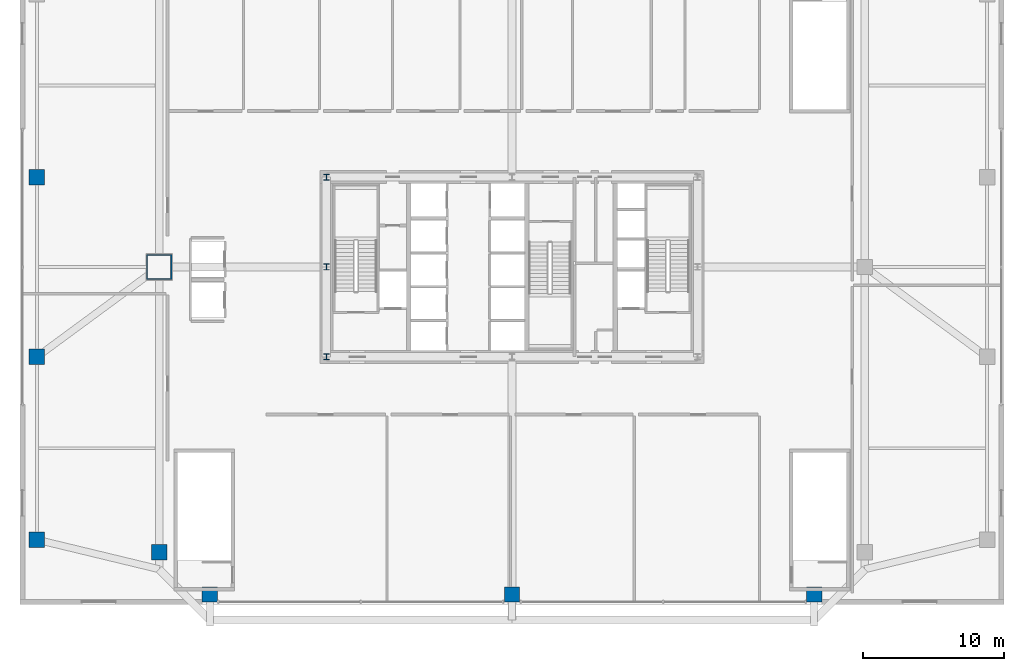
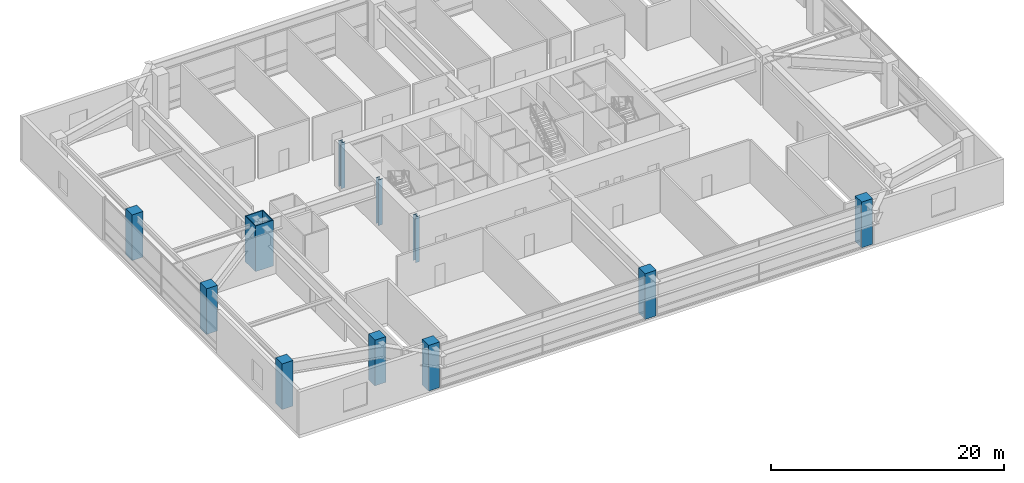
# One storey, part 1 of 34: 11 columns.
"""IFC4 building model written with IfcOpenShell, lengths in metres."""

from ifc_helpers import new_model, si_unit, direction, frame, origin, origin_2d, place, context, subcontext, project, spatial, rectangle, hollow_rectangle, i_section, extrude, source, transform, mapped, material, material_profile, profile_set, type_object, element, save


model = new_model("IFC4")

# Units and contexts
model_context = context("Model", 3, precision=1e-05, world=origin(), true_north=direction((0.0, 1.0)))
body_context = subcontext(model_context, "Body", "Model", "MODEL_VIEW")
ifc_project = project(units=[si_unit("LENGTHUNIT", "METRE"), si_unit("AREAUNIT", "SQUARE_METRE"), si_unit("VOLUMEUNIT", "CUBIC_METRE"), si_unit("PLANEANGLEUNIT", "RADIAN"), si_unit("MASSUNIT", "GRAM", prefix="KILO"), si_unit("THERMODYNAMICTEMPERATUREUNIT", "KELVIN"), si_unit("POWERUNIT", "WATT")], contexts=[model_context])

# Site, building, storey
site_placement = place(None, origin())
site = spatial("IfcSite", under=ifc_project, at=site_placement, CompositionType="ELEMENT")
building_placement = place(site_placement, origin())
building = spatial("IfcBuilding", under=site, at=building_placement, Name="Yuzanri Waterfront Tower", CompositionType="ELEMENT")
storey_placement = place(building_placement, frame((0.0, 0.0, 25.800048828125)))
storey = spatial("IfcBuildingStorey", under=building, at=storey_placement, Name="L06", CompositionType="ELEMENT", Elevation=25.800048828125)

# Columns
ifc_material_1 = material(Name="Steel Q355B", Category="steel")
ifc_material_profile_1 = material_profile(ifc_material_1, i_section(OverallWidth=0.406982421875, OverallDepth=0.427978515625, WebThickness=0.02001953125, FlangeThickness=0.034912109375, at=origin_2d()), Name="HW 428x407x20x35")
ifc_profile_set_1 = profile_set([ifc_material_profile_1], Name="Steel Q355B")
column_type_1 = type_object("IfcColumnType", Name="Core Post Q355B HW 428x407x20x35", PredefinedType="COLUMN", material=ifc_profile_set_1)
shared_shape_1 = source(origin(), body_context, "Body", "SweptSolid", [
    extrude(i_section(OverallWidth=0.406982421875, OverallDepth=0.427978515625, WebThickness=0.02001953125, FlangeThickness=0.034912109375, at=origin_2d()), origin(), (0.0, 0.0, 1.0), 4.800048828125),
])
for number, where, z_axis, x_axis, name in (
    (1, (23.800048828125, 19.39990234375, 0.0), (0.0, 0.0, 1.0), (1.0, 0.0, 0.0), "L06 Core Boundary Column CP1"),
    (2, (23.800048828125, 25.800048828125, 0.0), (0.0, 0.0, 1.0), (1.0, 0.0, 0.0), "L06 Core Boundary Column CP4"),
    (3, (23.800048828125, 32.199951171875, 0.0), (0.0, 0.0, 1.0), (1.0, 0.0, 0.0), "L06 Core Boundary Column CP6"),
):
    element("IfcColumn", number, at=place(storey_placement, frame(where, z_axis=z_axis, x_axis=x_axis)), inside=storey, type_object=column_type_1, Name=name, PredefinedType="COLUMN", context=body_context, shape_type="MappedRepresentation", body=[
        mapped(shared_shape_1, transform((0.0, 0.0, 0.0), scale=1.0)),
    ])
ifc_material_2 = material(Name="Concrete C50", Category="concrete")
ifc_material_profile_2 = material_profile(ifc_material_2, rectangle(XDim=1.10009765625, YDim=1.10009765625, at=origin_2d()), Name="RC 1100x1100")
ifc_profile_set_2 = profile_set([ifc_material_profile_2], Name="Concrete C50")
column_type_2 = type_object("IfcColumnType", Name="Podium RC Column C50 1100x1100", PredefinedType="COLUMN", material=ifc_profile_set_2)
shared_shape_2 = source(origin(), body_context, "Body", "SweptSolid", [
    extrude(rectangle(XDim=1.10009765625, YDim=1.10009765625, at=origin_2d()), origin(), (0.0, 0.0, 1.0), 4.800048828125),
])
for number, where, z_axis, x_axis, name in (
    (4, (3.199951171875, 6.39990234375, 0.0), (0.0, 0.0, 1.0), (1.0, 0.0, 0.0), "L06 Podium Column PW1"),
    (5, (3.199951171875, 19.39990234375, 0.0), (0.0, 0.0, 1.0), (1.0, 0.0, 0.0), "L06 Podium Column PW2"),
    (6, (3.199951171875, 32.199951171875, 0.0), (0.0, 0.0, 1.0), (1.0, 0.0, 0.0), "L06 Podium Column PW3"),
    (7, (11.89990234375, 5.5, 0.0), (0.0, 0.0, 1.0), (1.0, 0.0, 0.0), "L06 Podium Column PTW1"),
    (8, (15.5, 2.5, 0.0), (0.0, 0.0, 1.0), (1.0, 0.0, 0.0), "L06 Podium Column PTS1"),
    (9, (37.0, 2.5, 0.0), (0.0, 0.0, 1.0), (1.0, 0.0, 0.0), "L06 Podium Column PTS2"),
    (10, (58.5, 2.5, 0.0), (0.0, 0.0, 1.0), (1.0, 0.0, 0.0), "L06 Podium Column PTS3"),
):
    element("IfcColumn", number, at=place(storey_placement, frame(where, z_axis=z_axis, x_axis=x_axis)), inside=storey, type_object=column_type_2, Name=name, PredefinedType="COLUMN", context=body_context, shape_type="MappedRepresentation", body=[
        mapped(shared_shape_2, transform((0.0, 0.0, 0.0), scale=1.0)),
    ])
ifc_material_3 = material(Name="Steel Q420GJC", Category="steel")
ifc_material_profile_3 = material_profile(ifc_material_3, hollow_rectangle(XDim=1.800048828125, YDim=1.800048828125, WallThickness=0.080078125, at=origin_2d()), Name="RHS 1800x1800x80")
ifc_profile_set_3 = profile_set([ifc_material_profile_3], Name="Steel Q420GJC")
column_type_3 = type_object("IfcColumnType", Name="Mega Column Q420GJC RHS 1800x1800x80", PredefinedType="COLUMN", material=ifc_profile_set_3)
shared_shape_3 = source(origin(), body_context, "Body", "SweptSolid", [
    extrude(hollow_rectangle(XDim=1.800048828125, YDim=1.800048828125, WallThickness=0.080078125, at=origin_2d()), origin(), (0.0, 0.0, 1.0), 4.800048828125),
])
column_placement = place(storey_placement, frame((11.89990234375, 25.800048828125, 0.0), z_axis=(0.0, 0.0, 1.0), x_axis=(1.0, 0.0, 0.0)))
element("IfcColumn", 11, at=column_placement, inside=storey, type_object=column_type_3, Name="L06 Transfer Column PTW2", PredefinedType="COLUMN", context=body_context, shape_type="MappedRepresentation", body=[
    mapped(shared_shape_3, transform((0.0, 0.0, 0.0), scale=1.0)),
])

save(model, "model.ifc")
